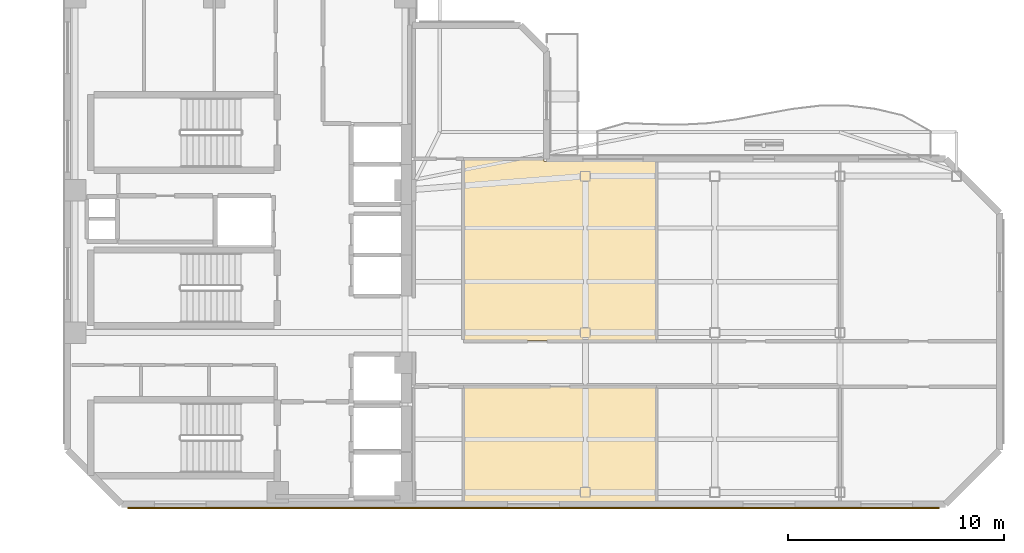
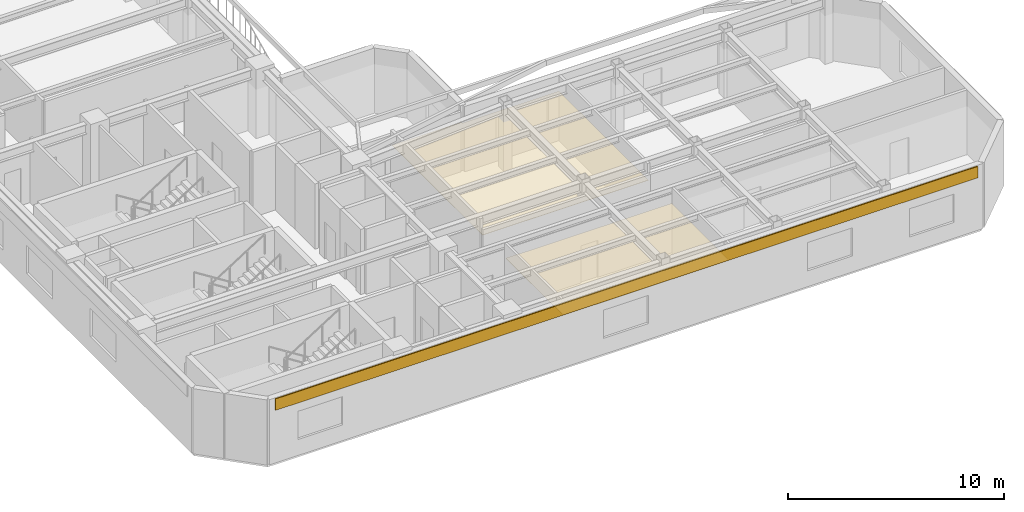
# One storey, part 7 of 11: 3 coverings.
"""IFC4 building model written with IfcOpenShell, lengths in metres."""

from ifc_helpers import new_model, si_unit, direction, frame, origin, origin_2d, place, context, subcontext, project, spatial, polyline, rectangle, outline, extrude, material, layer, layer_set, type_object, element, save


model = new_model("IFC4")

# Units and contexts
model_context = context("Model", 3, precision=1e-05, world=origin(), true_north=direction((0.0, 1.0)))
body_context = subcontext(model_context, "Body", "Model", "MODEL_VIEW")
ifc_project = project(units=[si_unit("LENGTHUNIT", "METRE"), si_unit("AREAUNIT", "SQUARE_METRE"), si_unit("VOLUMEUNIT", "CUBIC_METRE"), si_unit("PLANEANGLEUNIT", "RADIAN"), si_unit("MASSUNIT", "GRAM", prefix="KILO")], contexts=[model_context])

# Site, building, storey
site_placement = place(None, origin())
site = spatial("IfcSite", under=ifc_project, at=site_placement, CompositionType="ELEMENT")
building_placement = place(site_placement, origin())
building = spatial("IfcBuilding", under=site, at=building_placement, Name="Mawjaban Terraces University", CompositionType="ELEMENT")
storey_placement = place(building_placement, frame((0.0, 0.0, 214.800048828125)))
storey = spatial("IfcBuildingStorey", under=building, at=storey_placement, Name="L52", CompositionType="ELEMENT", Elevation=214.800048828125)

# Coverings
ifc_material_1 = material(Name="Acoustic mineral fibre ceiling tile", Category="masonry")
ifc_layer_1 = layer(ifc_material_1, 0.02001953125)
ifc_layer_set_1 = layer_set([ifc_layer_1], Name="Acoustic mineral fibre ceiling tile")
covering_type_1 = type_object("IfcCoveringType", Name="AcousticMineralCeiling_20", PredefinedType="CEILING", material=ifc_layer_set_1)
covering_1_placement = place(storey_placement, frame((0.0, 0.0, 2.75)))
element("IfcCovering", 1, at=covering_1_placement, inside=storey, type_object=covering_type_1, Name="L52 Graduate Study Lounge 2 Acoustic Ceiling", PredefinedType="CEILING", context=body_context, shape_type="SweptSolid", body=[
    extrude(outline(polyline([(40.3798828125, 0.114990234375), (49.26611328125, 0.114990234375), (49.26611328125, 5.419921875), (40.3798828125, 5.419921875), (40.3798828125, 0.114990234375)])), origin(), (0.0, 0.0, 1.0), 0.02001953125),
])
covering_2_placement = place(storey_placement, frame((0.0, 0.0, 2.75)))
element("IfcCovering", 2, at=covering_2_placement, inside=storey, type_object=covering_type_1, Name="L52 Collaborative Study Room 3 Acoustic Ceiling", PredefinedType="CEILING", context=body_context, shape_type="SweptSolid", body=[
    extrude(outline(polyline([(49.26611328125, 15.885009765625), (44.0849609375, 15.885009765625), (44.0849609375, 15.969970703125), (40.3798828125, 15.969970703125), (40.3798828125, 7.580078125), (49.26611328125, 7.580078125), (49.26611328125, 15.885009765625)])), origin(), (0.0, 0.0, 1.0), 0.02001953125),
])
ifc_material_2 = material(Name="Glazed architectural terracotta rainscreen", Category="masonry")
ifc_layer_2 = layer(ifc_material_2, 0.06005859375)
ifc_layer_set_2 = layer_set([ifc_layer_2], Name="Glazed architectural terracotta rainscreen")
covering_type_2 = type_object("IfcCoveringType", Name="TerracottaSpandrelCladding_60", PredefinedType="CLADDING", material=ifc_layer_set_2)
covering_3_placement = place(storey_placement, frame((43.60009765625, -0.175048828125, 3.014892578125), z_axis=(0.0, 0.0, 1.0), x_axis=(1.0, 0.0, 0.0)))
element("IfcCovering", 3, at=covering_3_placement, inside=storey, type_object=covering_type_2, Name="L52 Terracotta Spandrel Cladding 1", PredefinedType="CLADDING", context=body_context, shape_type="SweptSolid", body=[
    extrude(rectangle(XDim=37.60009765625, YDim=0.06005859375, at=origin_2d()), origin(), (0.0, 0.0, 1.0), 0.64990234375),
])

save(model, "model.ifc")
